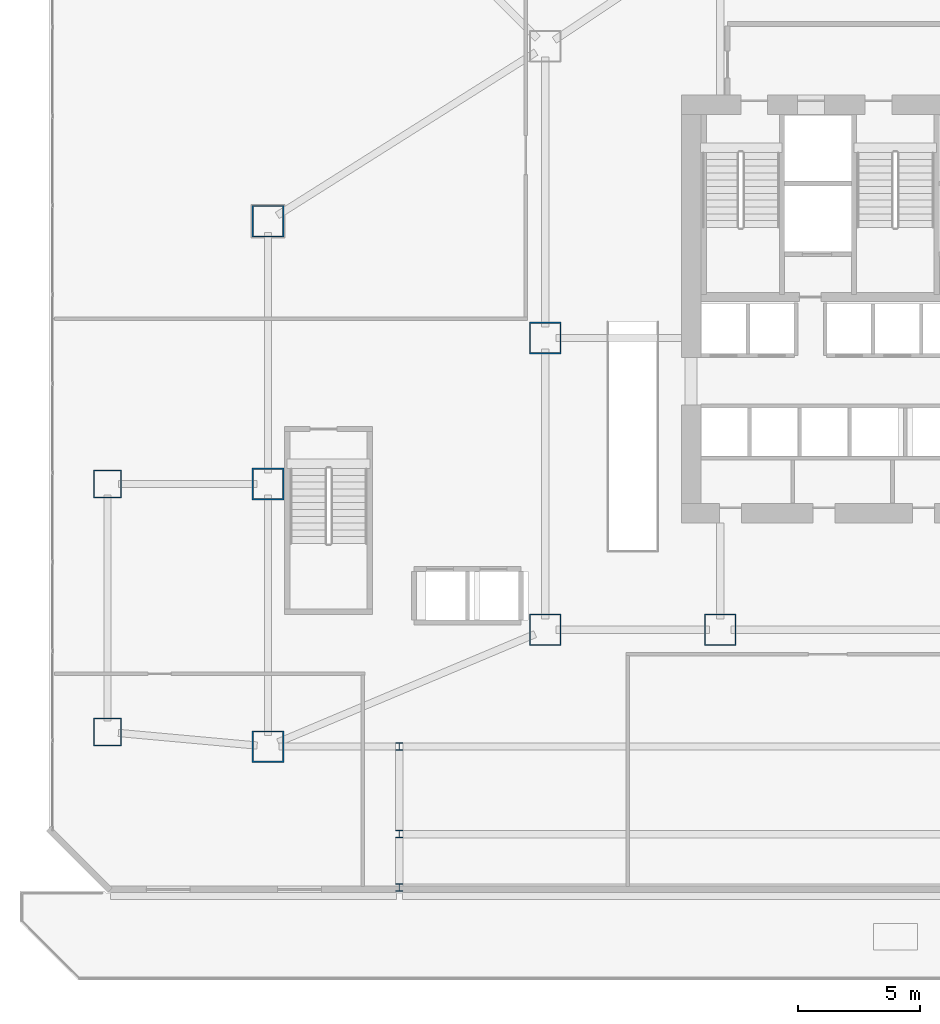
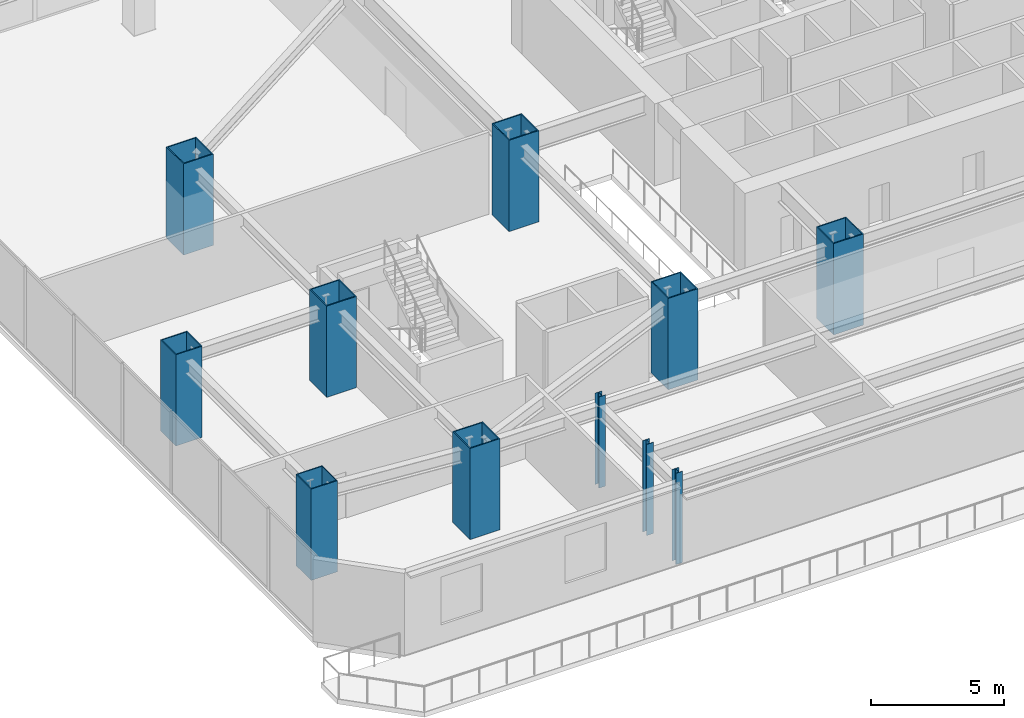
# One storey, part 1 of 32: 11 columns.
"""IFC4 building model written with IfcOpenShell, lengths in metres."""

from ifc_helpers import new_model, si_unit, direction, frame, origin, origin_2d, place, context, subcontext, project, spatial, hollow_rectangle, i_section, extrude, material, material_profile, profile_set, type_object, element, save


model = new_model("IFC4")

# Units and contexts
model_context = context("Model", 3, precision=1e-05, world=origin(), true_north=direction((0.0, 1.0)))
body_context = subcontext(model_context, "Body", "Model", "MODEL_VIEW")
ifc_project = project(units=[si_unit("LENGTHUNIT", "METRE"), si_unit("AREAUNIT", "SQUARE_METRE"), si_unit("VOLUMEUNIT", "CUBIC_METRE"), si_unit("PLANEANGLEUNIT", "RADIAN"), si_unit("MASSUNIT", "GRAM", prefix="KILO")], contexts=[model_context])

# Site, building, storey
site_placement = place(None, origin())
site = spatial("IfcSite", under=ifc_project, at=site_placement, CompositionType="ELEMENT")
building_placement = place(site_placement, origin())
building = spatial("IfcBuilding", under=site, at=building_placement, Name="Haolan Belvedere Tower", CompositionType="ELEMENT")
storey_placement = place(building_placement, frame((0.0, 0.0, 15.60009765625)))
storey = spatial("IfcBuildingStorey", under=building, at=storey_placement, Name="L03", CompositionType="ELEMENT", Elevation=15.60009765625)

# Columns
ifc_material = material(Name="Steel Q355B", Category="steel")
ifc_material_profile_1 = material_profile(ifc_material, hollow_rectangle(XDim=1.14990234375, YDim=1.14990234375, WallThickness=0.0419921875, at=origin_2d()), Name="Steel Q355B")
ifc_profile_set_1 = profile_set([ifc_material_profile_1], Name="Steel Q355B")
column_type_1 = type_object("IfcColumnType", Name="COL-BOX1150x1150x42", PredefinedType="COLUMN", material=ifc_profile_set_1)
for number, where, z_axis, x_axis, name in (
    (1, (6.0, 17.39990234375, 0.0), (0.0, 0.0, 1.0), (1.0, 0.0, 0.0), "L03 column MC-T1-SW (BOX1150x1150x42)"),
    (2, (6.0, 27.60009765625, 0.0), (0.0, 0.0, 1.0), (1.0, 0.0, 0.0), "L03 column MC-T1-NW (BOX1150x1150x42)"),
):
    element("IfcColumn", number, at=place(storey_placement, frame(where, z_axis=z_axis, x_axis=x_axis)), inside=storey, type_object=column_type_1, Name=name, PredefinedType="COLUMN", context=body_context, shape_type="SweptSolid", body=[
        extrude(hollow_rectangle(XDim=1.14990234375, YDim=1.14990234375, WallThickness=0.0419921875, at=origin_2d()), origin(), (0.0, 0.0, 1.0), 4.199951171875),
    ])
ifc_material_profile_2 = material_profile(ifc_material, hollow_rectangle(XDim=1.300048828125, YDim=1.300048828125, WallThickness=0.048095703125, at=origin_2d()), Name="Steel Q355B")
ifc_profile_set_2 = profile_set([ifc_material_profile_2], Name="Steel Q355B")
column_type_2 = type_object("IfcColumnType", Name="COL-BOX1300x1300x48", PredefinedType="COLUMN", material=ifc_profile_set_2)
for number, where, z_axis, x_axis, name in (
    (3, (24.0, 21.60009765625, 0.0), (0.0, 0.0, 1.0), (1.0, 0.0, 0.0), "L03 column MC-T3-SW (BOX1300x1300x48)"),
    (4, (24.0, 33.60009765625, 0.0), (0.0, 0.0, 1.0), (1.0, 0.0, 0.0), "L03 column MC-T3-MW (BOX1300x1300x48)"),
    (5, (31.199951171875, 21.60009765625, 0.0), (0.0, 0.0, 1.0), (1.0, 0.0, 0.0), "L03 column MC-T3-S1 (BOX1300x1300x48)"),
    (6, (12.60009765625, 16.800048828125, 0.0), (0.0, 0.0, 1.0), (1.0, 0.0, 0.0), "L03 column MC-T2-SW (BOX1300x1300x48)"),
    (7, (12.60009765625, 27.60009765625, 0.0), (0.0, 0.0, 1.0), (1.0, 0.0, 0.0), "L03 column MC-T2-MW (BOX1300x1300x48)"),
    (8, (12.60009765625, 38.39990234375, 0.0), (0.0, 0.0, 1.0), (1.0, 0.0, 0.0), "L03 column MC-T2-NW (BOX1300x1300x48)"),
):
    element("IfcColumn", number, at=place(storey_placement, frame(where, z_axis=z_axis, x_axis=x_axis)), inside=storey, type_object=column_type_2, Name=name, PredefinedType="COLUMN", context=body_context, shape_type="SweptSolid", body=[
        extrude(hollow_rectangle(XDim=1.300048828125, YDim=1.300048828125, WallThickness=0.048095703125, at=origin_2d()), origin(), (0.0, 0.0, 1.0), 4.199951171875),
    ])
ifc_material_profile_3 = material_profile(ifc_material, i_section(OverallWidth=0.300048828125, OverallDepth=0.300048828125, WebThickness=0.010009765625, FlangeThickness=0.014892578125, FilletRadius=0.01806640625, at=origin_2d()), Name="Steel Q355B")
ifc_profile_set_3 = profile_set([ifc_material_profile_3], Name="Steel Q355B")
column_type_3 = type_object("IfcColumnType", Name="COL-HW300x300x10x15", PredefinedType="COLUMN", material=ifc_profile_set_3)
for number, where, z_axis, x_axis, name in (
    (9, (18.0, 11.0, 0.0), (0.0, 0.0, 1.0), (1.0, 0.0, 0.0), "L03 column PC-CS2-W (HW300x300x10x15)"),
    (10, (18.0, 13.199951171875, 0.0), (0.0, 0.0, 1.0), (1.0, 0.0, 0.0), "L03 column PC-CS3-W (HW300x300x10x15)"),
    (11, (18.0, 16.800048828125, 0.0), (0.0, 0.0, 1.0), (1.0, 0.0, 0.0), "L03 column PC-CS4-W (HW300x300x10x15)"),
):
    element("IfcColumn", number, at=place(storey_placement, frame(where, z_axis=z_axis, x_axis=x_axis)), inside=storey, type_object=column_type_3, Name=name, PredefinedType="COLUMN", context=body_context, shape_type="SweptSolid", body=[
        extrude(i_section(OverallWidth=0.300048828125, OverallDepth=0.300048828125, WebThickness=0.010009765625, FlangeThickness=0.014892578125, FilletRadius=0.01806640625, at=origin_2d()), origin(), (0.0, 0.0, 1.0), 4.199951171875),
    ])

save(model, "model.ifc")
